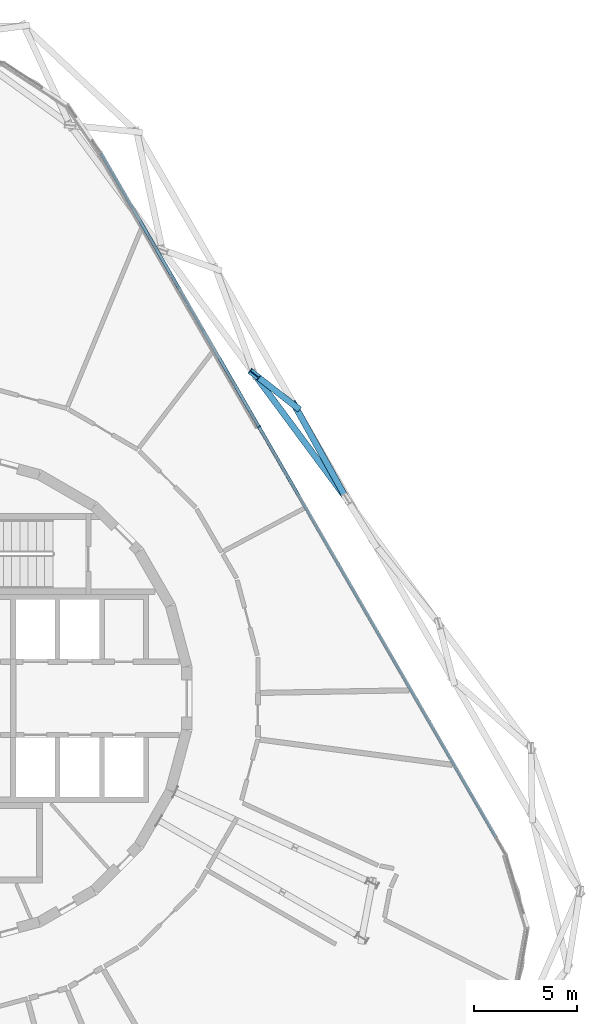
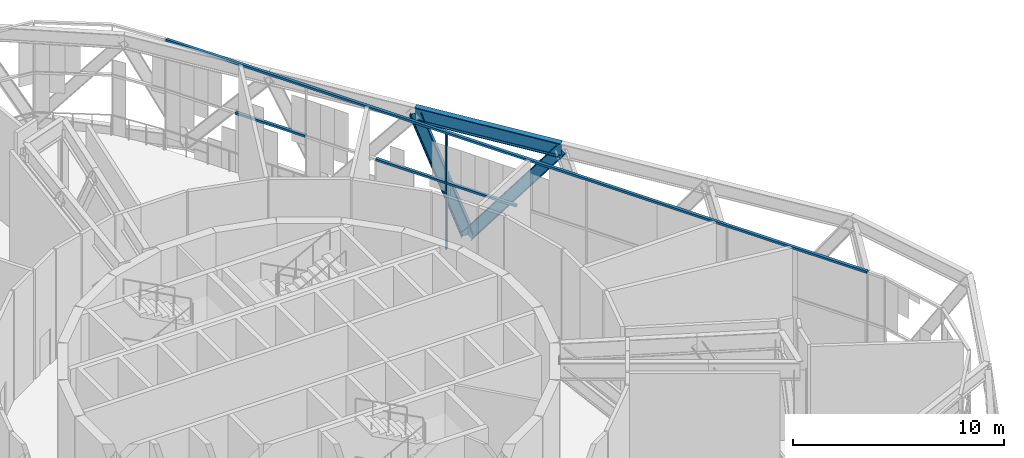
# One storey, part 9 of 29: 8 members, 1 element without a shape of its own.
"""IFC4 building model written with IfcOpenShell, lengths in metres."""

from ifc_helpers import new_model, si_unit, direction, frame, origin, origin_2d, place, context, subcontext, project, spatial, rectangle, i_section, extrude, material, layer, layer_set, material_profile, profile_set, type_object, element, aggregate, save


model = new_model("IFC4")

# Units and contexts
model_context = context("Model", 3, precision=1e-05, world=origin(), true_north=direction((0.0, 1.0)))
body_context = subcontext(model_context, "Body", "Model", "MODEL_VIEW")
ifc_project = project(units=[si_unit("LENGTHUNIT", "METRE"), si_unit("AREAUNIT", "SQUARE_METRE"), si_unit("VOLUMEUNIT", "CUBIC_METRE"), si_unit("PLANEANGLEUNIT", "RADIAN"), si_unit("MASSUNIT", "GRAM", prefix="KILO")], contexts=[model_context])

# Site, building, storey
site_placement = place(None, origin())
site = spatial("IfcSite", under=ifc_project, at=site_placement, CompositionType="ELEMENT")
building_placement = place(site_placement, origin())
building = spatial("IfcBuilding", under=site, at=building_placement, Name="Spindle Arch Residences", CompositionType="ELEMENT")
storey_placement = place(building_placement, frame((0.0, 0.0, 69.89990234375)))
storey = spatial("IfcBuildingStorey", under=building, at=storey_placement, Name="L16", CompositionType="ELEMENT", Elevation=69.89990234375)

# Members
ifc_material_1 = material(Name="Steel S460ML, intumescent coating R 240", Category="steel")
ifc_material_profile_1 = material_profile(ifc_material_1, i_section(OverallWidth=0.302978515625, OverallDepth=0.81396484375, WebThickness=0.02099609375, FlangeThickness=0.0400390625, FilletRadius=0.030029296875, at=origin_2d()), Name="HEM 800")
ifc_profile_set_1 = profile_set([ifc_material_profile_1], Name="Steel S460ML, intumescent coating R 240")
member_type_1 = type_object("IfcMemberType", Name="Belt truss chord HEM 800", PredefinedType="CHORD", material=ifc_profile_set_1)
member_1_placement = place(storey_placement, frame((19.404541015625, 9.681884765625, 5.943115234375), z_axis=(-0.594818247684, 0.80386021933, 0.0), x_axis=(-0.80386021933, -0.594818247684, 0.0)))
element("IfcMember", 1, at=member_1_placement, inside=storey, type_object=member_type_1, Name="Belt truss top chord L16.8", PredefinedType="CHORD", context=body_context, shape_type="SweptSolid", body=[
    extrude(i_section(OverallWidth=0.302978515625, OverallDepth=0.81396484375, WebThickness=0.02099609375, FlangeThickness=0.0400390625, FilletRadius=0.030029296875, at=origin_2d()), origin(), (0.0, 0.0, 1.0), 7.51904296875),
])
ifc_material_2 = material(Name="Steel S460ML, intumescent coating R 240", Category="steel")
ifc_material_profile_2 = material_profile(ifc_material_2, i_section(OverallWidth=0.304931640625, OverallDepth=0.6201171875, WebThickness=0.02099609375, FlangeThickness=0.0400390625, FilletRadius=0.027099609375, at=origin_2d()), Name="HEM 600")
ifc_profile_set_2 = profile_set([ifc_material_profile_2], Name="Steel S460ML, intumescent coating R 240")
member_type_2 = type_object("IfcMemberType", Name="Belt truss diagonal HEM 600", PredefinedType="BRACE", material=ifc_profile_set_2)
member_2_placement = place(storey_placement, frame((16.898681640625, 14.1904296875, -0.85693359375), z_axis=(0.293596545624, -0.528239225257, 0.796721023506), x_axis=(0.874065723791, 0.485807688796, 0.0)))
element("IfcMember", 2, at=member_2_placement, inside=storey, type_object=member_type_2, Name="Belt truss diagonal L16.8.9", PredefinedType="BRACE", context=body_context, shape_type="SweptSolid", body=[
    extrude(i_section(OverallWidth=0.304931640625, OverallDepth=0.6201171875, WebThickness=0.02099609375, FlangeThickness=0.0400390625, FilletRadius=0.027099609375, at=origin_2d()), origin(), (0.0, 0.0, 1.0), 8.53515625),
])
member_3_placement = place(storey_placement, frame((16.898681640625, 14.1904296875, -0.85693359375), z_axis=(-0.271497478492, 0.212007341988, 0.938798171129), x_axis=(-0.615463639072, -0.788165280243, 0.0)))
element("IfcMember", 3, at=member_3_placement, inside=storey, type_object=member_type_2, Name="Belt truss diagonal L16.9.9", PredefinedType="BRACE", context=body_context, shape_type="SweptSolid", body=[
    extrude(i_section(OverallWidth=0.304931640625, OverallDepth=0.6201171875, WebThickness=0.02099609375, FlangeThickness=0.0400390625, FilletRadius=0.027099609375, at=origin_2d()), origin(), (0.0, 0.0, 1.0), 7.243408203125),
])

# Curtain wall, members
ifc_material_3 = material(Name="Aluminium bronze unitised frame with tinted glass", Category="aluminium")
ifc_layer = layer(ifc_material_3, 0.159912109375)
ifc_layer_set = layer_set([ifc_layer], Name="CW-E double-height winter garden wall")
curtain_wall_type = type_object("IfcCurtainWallType", Name="CW-E double-height winter garden wall", PredefinedType="NOTDEFINED", material=ifc_layer_set)
curtain_wall_placement = place(storey_placement, origin())
curtain_wall = element("IfcCurtainWall", 4, at=curtain_wall_placement, inside=storey, type_object=curtain_wall_type, Name="CW-E L16 run 2", PredefinedType="NOTDEFINED")
ifc_material_4 = material(Name="Aluminium bronze anodised mullion", Category="aluminium")
ifc_material_profile_3 = material_profile(ifc_material_4, rectangle(XDim=0.159912109375, YDim=0.06005859375, at=origin_2d()), Name="MU 60x160")
ifc_profile_set_3 = profile_set([ifc_material_profile_3], Name="Aluminium bronze anodised mullion")
member_type_3 = type_object("IfcMemberType", Name="Bronze mullion 60x160", PredefinedType="MULLION", material=ifc_profile_set_3)
member_4_placement = place(storey_placement, frame((15.149169921875, 13.180419921875, -0.449951171875), z_axis=(0.0, 0.0, 1.0), x_axis=(-0.866025403784, -0.5, 0.0)))
member_4 = element("IfcMember", 5, at=member_4_placement, type_object=member_type_3, Name="CW-E mullion 08", PredefinedType="MULLION", context=body_context, shape_type="SweptSolid", body=[
    extrude(rectangle(XDim=0.159912109375, YDim=0.06005859375, at=origin_2d()), origin(), (0.0, 0.0, 1.0), 6.679931640625),
])
ifc_material_5 = material(Name="Aluminium bronze anodised transom", Category="aluminium")
ifc_material_profile_4 = material_profile(ifc_material_5, rectangle(XDim=0.159912109375, YDim=0.1201171875, at=origin_2d()), Name="TR 120x160")
ifc_profile_set_4 = profile_set([ifc_material_profile_4], Name="Aluminium bronze anodised transom")
member_type_4 = type_object("IfcMemberType", Name="Bronze transom 120x160", PredefinedType="USERDEFINED", material=ifc_profile_set_4)
member_5_placement = place(storey_placement, frame((26.654296875, -6.746826171875, 6.2900390625), z_axis=(-0.50000099666, 0.866024828362, 0.0), x_axis=(-0.866024828362, -0.50000099666, 0.0)))
member_5 = element("IfcMember", 6, at=member_5_placement, type_object=member_type_4, Name="CW-E transom 00", ObjectType="TRANSOM", PredefinedType="USERDEFINED", context=body_context, shape_type="SweptSolid", body=[
    extrude(rectangle(XDim=0.159912109375, YDim=0.1201171875, at=origin_2d()), origin(), (0.0, 0.0, 1.0), 38.34033203125),
])
member_6_placement = place(storey_placement, frame((17.0693359375, 9.85498046875, 3.400146484375), z_axis=(-0.500005339912, 0.866022320763, 0.0), x_axis=(-0.866022320763, -0.500005339912, 0.0)))
member_6 = element("IfcMember", 7, at=member_6_placement, type_object=member_type_4, Name="CW-E transom 07Bm", ObjectType="TRANSOM", PredefinedType="USERDEFINED", context=body_context, shape_type="SweptSolid", body=[
    extrude(rectangle(XDim=0.159912109375, YDim=0.1201171875, at=origin_2d()), origin(), (0.0, 0.0, 1.0), 3.81005859375),
])
member_7_placement = place(storey_placement, frame((15.13427734375, 13.20654296875, 3.400146484375), z_axis=(-0.500005339912, 0.866022320763, 0.0), x_axis=(-0.866022320763, -0.500005339912, 0.0)))
member_7 = element("IfcMember", 8, at=member_7_placement, type_object=member_type_4, Name="CW-E transom 08Am", ObjectType="TRANSOM", PredefinedType="USERDEFINED", context=body_context, shape_type="SweptSolid", body=[
    extrude(rectangle(XDim=0.159912109375, YDim=0.1201171875, at=origin_2d()), origin(), (0.0, 0.0, 1.0), 3.81005859375),
])
member_8_placement = place(storey_placement, frame((11.294189453125, 19.857666015625, 3.400146484375), z_axis=(-0.500005339912, 0.866022320763, 0.0), x_axis=(-0.866022320763, -0.500005339912, 0.0)))
member_8 = element("IfcMember", 9, at=member_8_placement, type_object=member_type_4, Name="CW-E transom 09Am", ObjectType="TRANSOM", PredefinedType="USERDEFINED", context=body_context, shape_type="SweptSolid", body=[
    extrude(rectangle(XDim=0.159912109375, YDim=0.1201171875, at=origin_2d()), origin(), (0.0, 0.0, 1.0), 3.81005859375),
])
aggregate(curtain_wall, [member_5, member_6, member_4, member_7, member_8])

save(model, "model.ifc")
